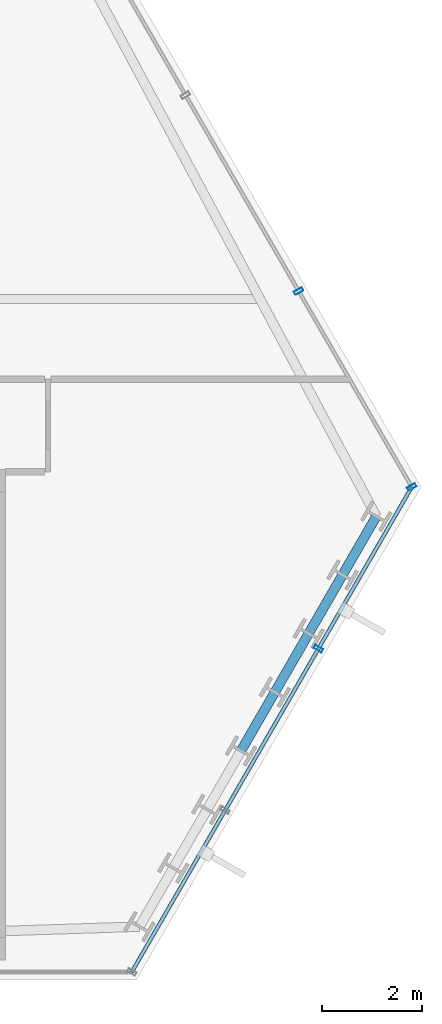
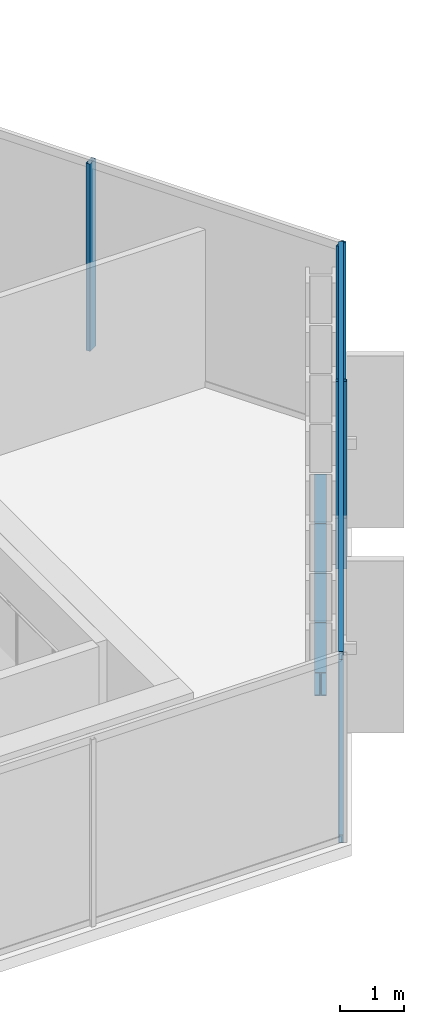
# One storey, part 17 of 33: 5 members, 4 beams, 2 elements without a shape of their own.
"""IFC4 building model written with IfcOpenShell, lengths in metres."""

from ifc_helpers import new_model, si_unit, direction, frame, origin, origin_2d, place, context, subcontext, project, spatial, hollow_rectangle, i_section, extrude, material, layer, layer_set, material_profile, profile_set, type_object, element, aggregate, save


model = new_model("IFC4")

# Units and contexts
model_context = context("Model", 3, precision=1e-05, world=origin(), true_north=direction((0.0, 1.0)))
body_context = subcontext(model_context, "Body", "Model", "MODEL_VIEW")
ifc_project = project(units=[si_unit("LENGTHUNIT", "METRE"), si_unit("AREAUNIT", "SQUARE_METRE"), si_unit("VOLUMEUNIT", "CUBIC_METRE"), si_unit("PLANEANGLEUNIT", "RADIAN"), si_unit("MASSUNIT", "GRAM", prefix="KILO")], contexts=[model_context])

# Site, building, storey
site_placement = place(None, origin())
site = spatial("IfcSite", under=ifc_project, at=site_placement, CompositionType="ELEMENT")
building_placement = place(site_placement, origin())
building = spatial("IfcBuilding", under=site, at=building_placement, Name="Ndaravel Arena Tower", CompositionType="ELEMENT")
storey_placement = place(building_placement, frame((0.0, 0.0, 153.60009765625)))
storey = spatial("IfcBuildingStorey", under=building, at=storey_placement, Name="L36", CompositionType="ELEMENT", Elevation=153.60009765625)

# Beams
ifc_material_1 = material(Name="Steel S355", Category="steel")
ifc_material_profile_1 = material_profile(ifc_material_1, i_section(OverallWidth=0.18994140625, OverallDepth=0.449951171875, WebThickness=0.009521484375, FlangeThickness=0.0146484375, FilletRadius=0.02099609375, at=origin_2d()), Name="IPE 450")
ifc_profile_set_1 = profile_set([ifc_material_profile_1], Name="Steel S355")
beam_type = type_object("IfcBeamType", Name="BM-SPAN-IPE450", PredefinedType="SPANDREL", material=ifc_profile_set_1)
for number, where, z_axis, x_axis, name in (
    (1, (62.256591796875, 9.577392578125, -0.445068359375), (0.500082007311, 0.865978051664, 0.0), (-0.865978051664, 0.500082007311, 0.0), "L36 Perimeter Spandrel Beam SP-05"),
    (2, (62.9326171875, 10.748046875, -0.445068359375), (0.49994655361, 0.866056258873, 0.0), (-0.866056258873, 0.49994655361, 0.0), "L36 Perimeter Spandrel Beam SP-06"),
    (3, (63.6083984375, 11.918701171875, -0.445068359375), (0.500082007311, 0.865978051664, 0.0), (-0.865978051664, 0.500082007311, 0.0), "L36 Perimeter Spandrel Beam SP-07"),
    (4, (64.284423828125, 13.08935546875, -0.445068359375), (0.49994655361, 0.866056258873, 0.0), (-0.866056258873, 0.49994655361, 0.0), "L36 Perimeter Spandrel Beam SP-08"),
):
    element("IfcBeam", number, at=place(storey_placement, frame(where, z_axis=z_axis, x_axis=x_axis)), inside=storey, type_object=beam_type, Name=name, PredefinedType="SPANDREL", context=body_context, shape_type="SweptSolid", body=[
        extrude(i_section(OverallWidth=0.18994140625, OverallDepth=0.449951171875, WebThickness=0.009521484375, FlangeThickness=0.0146484375, FilletRadius=0.02099609375, at=origin_2d()), origin(), (0.0, 0.0, 1.0), 1.351806640625),
    ])

# Curtain wall, member
ifc_material_2 = material(Name="Aluminium", Category="aluminium")
ifc_layer_1 = layer(ifc_material_2, 0.179931640625)
ifc_layer_set_1 = layer_set([ifc_layer_1], Name="Aluminium")
curtain_wall_type_1 = type_object("IfcCurtainWallType", Name="CW-SYS-01", PredefinedType="NOTDEFINED", material=ifc_layer_set_1)
curtain_wall_1_placement = place(storey_placement, origin())
curtain_wall_1 = element("IfcCurtainWall", 5, at=curtain_wall_1_placement, inside=storey, type_object=curtain_wall_type_1, Name="L36 Faceted Crystal Curtain Wall CW-L36-E02", PredefinedType="NOTDEFINED")
ifc_material_3 = material(Name="Aluminium", Category="aluminium")
ifc_material_profile_2 = material_profile(ifc_material_3, hollow_rectangle(XDim=0.074951171875, YDim=0.179931640625, WallThickness=0.00390625, at=origin_2d()), Name="CW MULLION 75x180x4")
ifc_profile_set_2 = profile_set([ifc_material_profile_2], Name="Aluminium")
member_type_1 = type_object("IfcMemberType", Name="MEM-CW-MUL180", PredefinedType="MULLION", material=ifc_profile_set_2)
member_1_placement = place(storey_placement, frame((63.8037109375, 11.616943359375, 0.0), z_axis=(0.0, 0.0, 1.0), x_axis=(0.5, 0.866025403784, 0.0)))
member_1 = element("IfcMember", 6, at=member_1_placement, type_object=member_type_1, Name="CW-L36-E02 Mullion 02", PredefinedType="MULLION", context=body_context, shape_type="SweptSolid", body=[
    extrude(hollow_rectangle(XDim=0.074951171875, YDim=0.179931640625, WallThickness=0.00390625, at=origin_2d()), origin(), (0.0, 0.0, 1.0), 3.579833984375),
])

# Curtain wall, members
ifc_material_4 = material(Name="Aluminium", Category="aluminium")
ifc_layer_2 = layer(ifc_material_4, 0.179931640625)
ifc_layer_set_2 = layer_set([ifc_layer_2], Name="Aluminium")
curtain_wall_type_2 = type_object("IfcCurtainWallType", Name="CW-SYS-03", PredefinedType="NOTDEFINED", material=ifc_layer_set_2)
curtain_wall_2_placement = place(storey_placement, origin())
curtain_wall_2 = element("IfcCurtainWall", 7, at=curtain_wall_2_placement, inside=storey, type_object=curtain_wall_type_2, Name="L36 Faceted Crystal Curtain Wall CW-L36-E03", PredefinedType="NOTDEFINED")
member_2_placement = place(storey_placement, frame((65.667724609375, 14.845458984375, 0.0), z_axis=(0.0, 0.0, 1.0), x_axis=(-0.5, 0.866025403784, 0.0)))
member_2 = element("IfcMember", 8, at=member_2_placement, type_object=member_type_1, Name="CW-L36-E03 Mullion 00", PredefinedType="MULLION", context=body_context, shape_type="SweptSolid", body=[
    extrude(hollow_rectangle(XDim=0.074951171875, YDim=0.179931640625, WallThickness=0.00390625, at=origin_2d()), origin(), (0.0, 0.0, 1.0), 3.579833984375),
])
member_3_placement = place(storey_placement, frame((63.408203125, 18.7587890625, 0.0), z_axis=(0.0, 0.0, 1.0), x_axis=(-0.5, 0.866025403784, 0.0)))
member_3 = element("IfcMember", 9, at=member_3_placement, type_object=member_type_1, Name="CW-L36-E03 Mullion 01", PredefinedType="MULLION", context=body_context, shape_type="SweptSolid", body=[
    extrude(hollow_rectangle(XDim=0.074951171875, YDim=0.179931640625, WallThickness=0.00390625, at=origin_2d()), origin(), (0.0, 0.0, 1.0), 3.579833984375),
])
aggregate(curtain_wall_2, [member_2, member_3])

# Member
ifc_material_5 = material(Name="Aluminium", Category="aluminium")
ifc_material_profile_3 = material_profile(ifc_material_5, hollow_rectangle(XDim=0.074951171875, YDim=0.14990234375, WallThickness=0.00390625, at=origin_2d()), Name="CW TRANSOM 75x150x4")
ifc_profile_set_3 = profile_set([ifc_material_profile_3], Name="Aluminium")
member_type_2 = type_object("IfcMemberType", Name="MEM-CW-TRN150", PredefinedType="USERDEFINED", material=ifc_profile_set_3)
member_4_placement = place(storey_placement, frame((60.07568359375, 5.159912109375, 0.039794921875), z_axis=(0.500005895944, 0.866021999733, 0.0), x_axis=(-0.866021999733, 0.500005895944, 0.0)))
member_4 = element("IfcMember", 10, at=member_4_placement, type_object=member_type_2, Name="CW-L36-E02 Transom 01", ObjectType="TRANSOM", PredefinedType="USERDEFINED", context=body_context, shape_type="SweptSolid", body=[
    extrude(hollow_rectangle(XDim=0.074951171875, YDim=0.14990234375, WallThickness=0.00390625, at=origin_2d()), origin(), (0.0, 0.0, 1.0), 11.183837890625),
])

member_5_placement = place(storey_placement, frame((60.07568359375, 5.159912109375, 3.539794921875), z_axis=(0.500005895944, 0.866021999733, 0.0), x_axis=(-0.866021999733, 0.500005895944, 0.0)))
member_5 = element("IfcMember", 11, at=member_5_placement, type_object=member_type_2, Name="CW-L36-E02 Transom 02", ObjectType="TRANSOM", PredefinedType="USERDEFINED", context=body_context, shape_type="SweptSolid", body=[
    extrude(hollow_rectangle(XDim=0.074951171875, YDim=0.14990234375, WallThickness=0.00390625, at=origin_2d()), origin(), (0.0, 0.0, 1.0), 11.183837890625),
])

aggregate(curtain_wall_1, [member_1, member_4, member_5])

save(model, "model.ifc")
